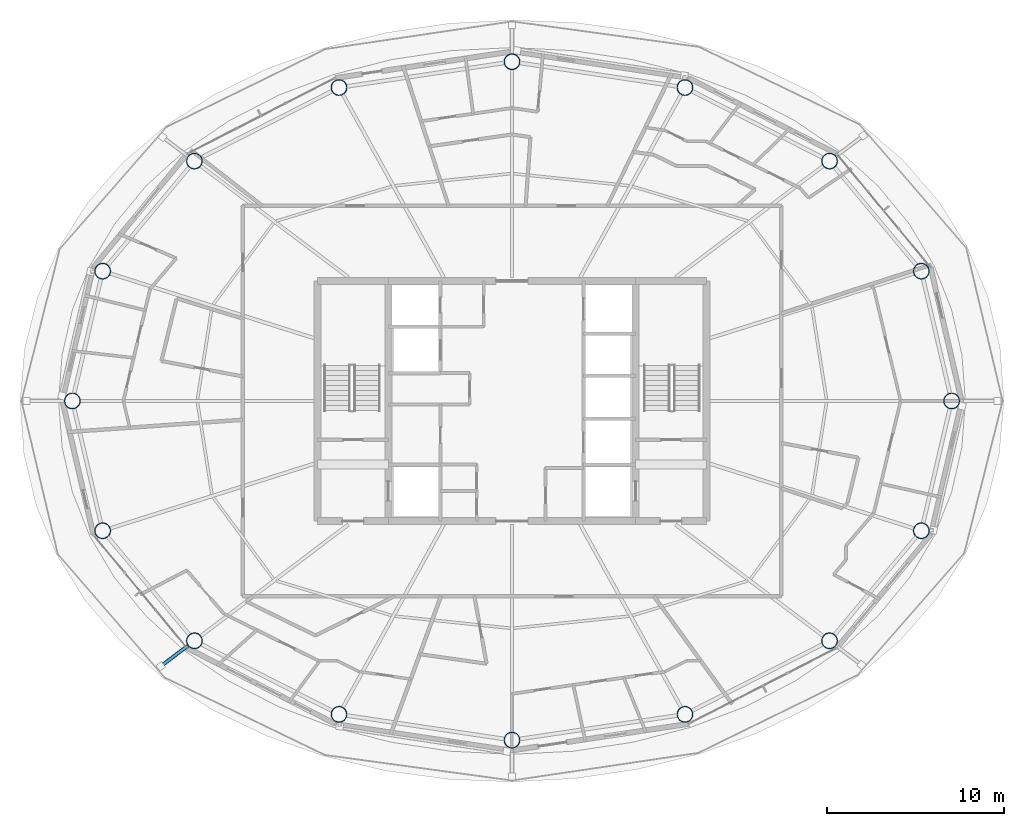
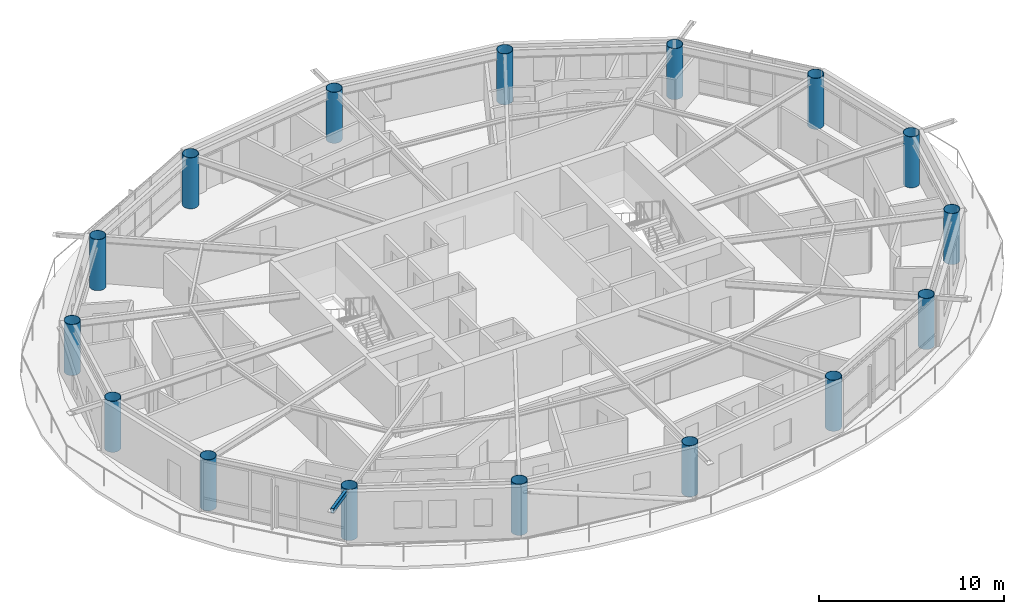
# One storey, part 1 of 23: 16 columns, 1 member.
"""IFC4 building model written with IfcOpenShell, lengths in metres."""

from ifc_helpers import new_model, si_unit, direction, frame, origin, origin_2d, place, context, subcontext, project, spatial, hollow_rectangle, hollow_circle, extrude, material, material_profile, profile_set, type_object, element, save


model = new_model("IFC4")

# Units and contexts
model_context = context("Model", 3, precision=1e-05, world=origin(), true_north=direction((0.0, 1.0)))
body_context = subcontext(model_context, "Body", "Model", "MODEL_VIEW")
ifc_project = project(units=[si_unit("LENGTHUNIT", "METRE"), si_unit("AREAUNIT", "SQUARE_METRE"), si_unit("VOLUMEUNIT", "CUBIC_METRE"), si_unit("PLANEANGLEUNIT", "RADIAN"), si_unit("MASSUNIT", "GRAM", prefix="KILO")], contexts=[model_context])

# Site, building, storey
site_placement = place(None, origin())
site = spatial("IfcSite", under=ifc_project, at=site_placement, CompositionType="ELEMENT")
building_placement = place(site_placement, origin())
building = spatial("IfcBuilding", under=site, at=building_placement, Name="Sarneth Arch Tower", CompositionType="ELEMENT")
storey_placement = place(building_placement, frame((0.0, 0.0, 224.39990234375)))
storey = spatial("IfcBuildingStorey", under=building, at=storey_placement, Name="L57", CompositionType="ELEMENT", Elevation=224.39990234375)

# Columns
ifc_material_1 = material(Name="Steel S355", Category="steel")
ifc_material_profile_1 = material_profile(ifc_material_1, hollow_circle(Radius=0.449951171875, WallThickness=0.02490234375, at=origin_2d()), Name="CHS900x25")
ifc_profile_set_1 = profile_set([ifc_material_profile_1], Name="Steel S355")
column_type = type_object("IfcColumnType", Name="COL-MEGA-900", PredefinedType="COLUMN", material=ifc_profile_set_1)
for number, where, z_axis, x_axis, name in (
    (1, (72.88330078125, 42.0, 0.0), (0.0, 0.0, 1.0), (1.0, 0.0, 0.0), "L57 Perimeter mega-column M01"),
    (2, (71.1689453125, 49.347412109375, 0.0), (0.0, 0.0, 1.0), (1.0, 0.0, 0.0), "L57 Perimeter mega-column M02"),
    (3, (65.975341796875, 55.576416015625, 0.0), (0.0, 0.0, 1.0), (1.0, 0.0, 0.0), "L57 Perimeter mega-column M03"),
    (4, (57.790771484375, 59.738525390625, 0.0), (0.0, 0.0, 1.0), (1.0, 0.0, 0.0), "L57 Perimeter mega-column M04"),
    (5, (48.0, 61.199951171875, 0.0), (0.0, 0.0, 1.0), (1.0, 0.0, 0.0), "L57 Perimeter mega-column M05"),
    (6, (38.209228515625, 59.738525390625, 0.0), (0.0, 0.0, 1.0), (1.0, 0.0, 0.0), "L57 Perimeter mega-column M06"),
    (7, (30.024658203125, 55.576416015625, 0.0), (0.0, 0.0, 1.0), (1.0, 0.0, 0.0), "L57 Perimeter mega-column M07"),
    (8, (24.8310546875, 49.347412109375, 0.0), (0.0, 0.0, 1.0), (1.0, 0.0, 0.0), "L57 Perimeter mega-column M08"),
    (9, (23.11669921875, 42.0, 0.0), (0.0, 0.0, 1.0), (1.0, 0.0, 0.0), "L57 Perimeter mega-column M09"),
    (10, (24.8310546875, 34.652587890625, 0.0), (0.0, 0.0, 1.0), (1.0, 0.0, 0.0), "L57 Perimeter mega-column M10"),
    (11, (30.024658203125, 28.423583984375, 0.0), (0.0, 0.0, 1.0), (1.0, 0.0, 0.0), "L57 Perimeter mega-column M11"),
    (12, (38.209228515625, 24.261474609375, 0.0), (0.0, 0.0, 1.0), (1.0, 0.0, 0.0), "L57 Perimeter mega-column M12"),
    (13, (48.0, 22.800048828125, 0.0), (0.0, 0.0, 1.0), (1.0, 0.0, 0.0), "L57 Perimeter mega-column M13"),
    (14, (57.790771484375, 24.261474609375, 0.0), (0.0, 0.0, 1.0), (1.0, 0.0, 0.0), "L57 Perimeter mega-column M14"),
    (15, (65.975341796875, 28.423583984375, 0.0), (0.0, 0.0, 1.0), (1.0, 0.0, 0.0), "L57 Perimeter mega-column M15"),
    (16, (71.1689453125, 34.652587890625, 0.0), (0.0, 0.0, 1.0), (1.0, 0.0, 0.0), "L57 Perimeter mega-column M16"),
):
    element("IfcColumn", number, at=place(storey_placement, frame(where, z_axis=z_axis, x_axis=x_axis)), inside=storey, type_object=column_type, Name=name, PredefinedType="COLUMN", context=body_context, shape_type="SweptSolid", body=[
        extrude(hollow_circle(Radius=0.449951171875, WallThickness=0.02490234375, at=origin_2d()), origin(), (0.0, 0.0, 1.0), 3.360107421875),
    ])

# Member
ifc_material_2 = material(Name="Steel S355", Category="steel")
ifc_material_profile_2 = material_profile(ifc_material_2, hollow_rectangle(XDim=0.199951171875, YDim=0.300048828125, WallThickness=0.012451171875, InnerFilletRadius=0.018798828125, OuterFilletRadius=0.03125, at=origin_2d()), Name="RHS300x200x12.5")
ifc_profile_set_2 = profile_set([ifc_material_profile_2], Name="Steel S355")
member_type = type_object("IfcMemberType", Name="MEM-CANT-STRUT", PredefinedType="STRUT", material=ifc_profile_set_2)
member_placement = place(storey_placement, frame((29.665771484375, 28.15234375, 3.2001953125), z_axis=(-0.797973488616, -0.602692551361, 0.0), x_axis=(0.602692551361, -0.797973488616, 0.0)))
element("IfcMember", 17, at=member_placement, inside=storey, type_object=member_type, Name="L57 Balcony cantilever bracket 11", PredefinedType="STRUT", context=body_context, shape_type="SweptSolid", body=[
    extrude(hollow_rectangle(XDim=0.199951171875, YDim=0.300048828125, WallThickness=0.012451171875, InnerFilletRadius=0.018798828125, OuterFilletRadius=0.03125, at=origin_2d()), origin(), (0.0, 0.0, 1.0), 1.941650390625),
])

save(model, "model.ifc")
